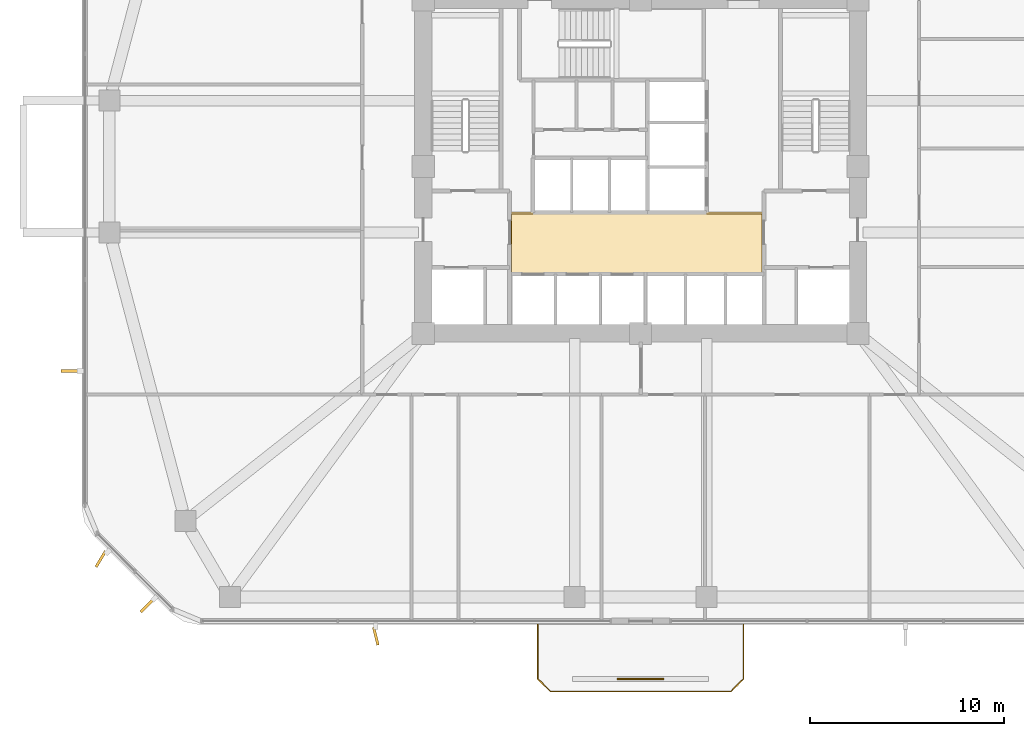
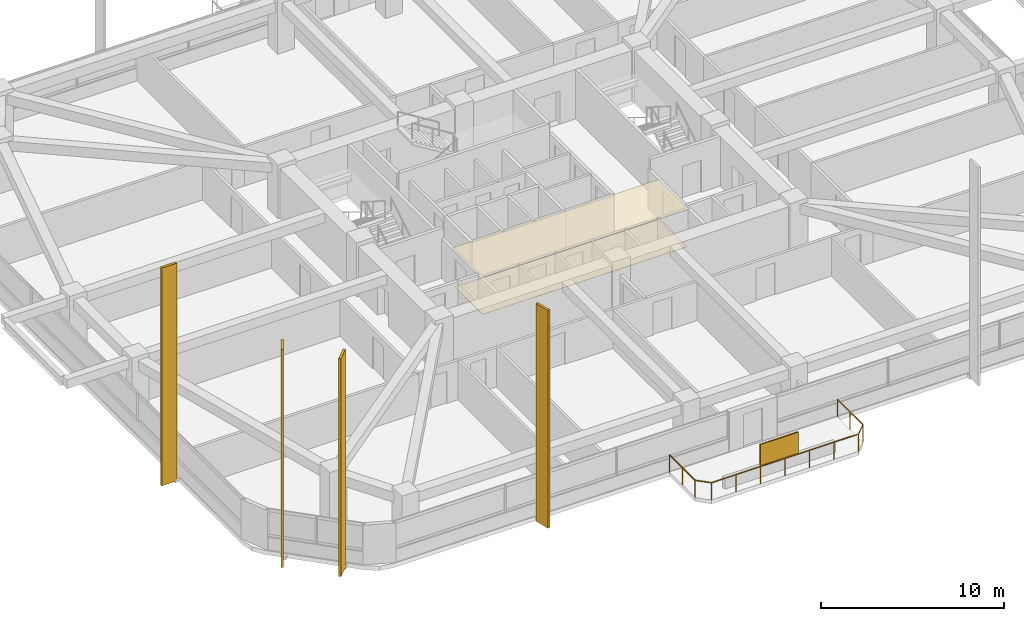
# One storey, part 13 of 17: 5 shading devices, 2 coverings, 1 railing.
"""IFC4 building model written with IfcOpenShell, lengths in metres."""

from ifc_helpers import new_model, si_unit, derived_unit, direction, frame, origin, origin_2d, place, context, subcontext, project, spatial, polyline, rectangle, outline, extrude, material, layer, layer_set, type_object, element, save


model = new_model("IFC4")

# Units and contexts
model_context = context("Model", 3, precision=1e-05, world=origin(), true_north=direction((0.0, 1.0)))
body_context = subcontext(model_context, "Body", "Model", "MODEL_VIEW")
ifc_project = project(units=[si_unit("LENGTHUNIT", "METRE"), si_unit("AREAUNIT", "SQUARE_METRE"), si_unit("VOLUMEUNIT", "CUBIC_METRE"), si_unit("PLANEANGLEUNIT", "RADIAN"), si_unit("MASSUNIT", "GRAM", prefix="KILO"), derived_unit("THERMALTRANSMITTANCEUNIT", [(si_unit("POWERUNIT", "WATT"), 1), (si_unit("LENGTHUNIT", "METRE"), -2), (si_unit("THERMODYNAMICTEMPERATUREUNIT", "KELVIN"), -1)])], contexts=[model_context])

# Site, building, storey
site_placement = place(None, origin())
site = spatial("IfcSite", under=ifc_project, at=site_placement, CompositionType="ELEMENT")
building_placement = place(site_placement, origin())
building = spatial("IfcBuilding", under=site, at=building_placement, Name="Koralith Skygarden Medical Center", CompositionType="ELEMENT")
storey_placement = place(building_placement, frame((0.0, 0.0, 23.93994140625)))
storey = spatial("IfcBuildingStorey", under=building, at=storey_placement, Name="L05", CompositionType="ELEMENT", Elevation=23.93994140625)

# Covering
ifc_material_1 = material(Name="Acoustic Mineral Tile")
ifc_layer_1 = layer(ifc_material_1, 0.02001953125)
ifc_layer_set_1 = layer_set([ifc_layer_1], Name="Acoustic Mineral Tile")
covering_type_1 = type_object("IfcCoveringType", Name="Acoustic Hygienic Mineral Ceiling 20", PredefinedType="CEILING", material=ifc_layer_set_1)
covering_1_placement = place(storey_placement, frame((0.0, 0.0, 2.5849609375)))
element("IfcCovering", 1, at=covering_1_placement, inside=storey, type_object=covering_type_1, Name="L05 Core Lobby Acoustic Ceiling", PredefinedType="CEILING", context=body_context, shape_type="SweptSolid", body=[
    extrude(outline(polyline([(30.25, 20.320068359375), (43.35009765625, 20.320068359375), (43.35009765625, 23.56005859375), (30.25, 23.56005859375), (30.25, 20.320068359375)])), origin(), (0.0, 0.0, 1.0), 0.02001953125),
])

# Shading devices
ifc_material_2 = material(Name="Aluminium 6063-T6", Category="aluminium")
shading_device_type_1 = type_object("IfcShadingDeviceType", Name="Limestone-Clad Solar Storm Fin 950", PredefinedType="USERDEFINED", material=ifc_material_2)
for number, where, z_axis, x_axis, name in (
    (2, (23.35009765625, 1.705078125, -0.2001953125), (0.0, 0.0, 1.0), (0.2419218956, -0.970295726276, 0.0), "L05 S Harmonic Solar Storm Fin 1"),
    (3, (7.60498046875, 15.3701171875, -0.2001953125), (0.0, 0.0, 1.0), (-0.999999926283, -0.000383972426, 0.0), "L05 W Harmonic Solar Storm Fin 2"),
    (4, (9.179931640625, 5.677978515625, -0.2001953125), (0.0, 0.0, 1.0), (-0.51503807491, -0.857167300702, 0.0), "L05 SW Harmonic Solar Storm Fin 1"),
    (5, (11.577880859375, 3.280029296875, -0.2001953125), (0.0, 0.0, 1.0), (-0.706835219554, -0.707378238567, 0.0), "L05 SW Harmonic Solar Storm Fin 2"),
):
    element("IfcShadingDevice", number, at=place(storey_placement, frame(where, z_axis=z_axis, x_axis=x_axis)), inside=storey, type_object=shading_device_type_1, Name=name, ObjectType="SOLAR FIN", PredefinedType="USERDEFINED", context=body_context, shape_type="SweptSolid", body=[
        extrude(rectangle(XDim=0.949951171875, YDim=0.139892578125, at=origin_2d()), origin(), (0.0, 0.0, 1.0), 14.550048828125),
    ])

# Railing
ifc_material_3 = material(Name="Steel ASTM A500 Grade C", Category="steel")
railing_type = type_object("IfcRailingType", Name="Outdoor Terrace & Balcony Safety Guardrail 1180", PredefinedType="GUARDRAIL", material=ifc_material_3)
railing_placement = place(storey_placement, frame((31.699951171875, 2.300048828125, 0.0)))
element("IfcRailing", 6, at=railing_placement, inside=storey, type_object=railing_type, Name="L05 S Balcony Perimeter Guardrail", PredefinedType="GUARDRAIL", context=body_context, shape_type="SweptSolid", body=[
    extrude(rectangle(XDim=0.050048828125, YDim=0.050048828125, at=origin_2d()), frame((0.0, -0.001953125, 1.15478515625), z_axis=(0.0, -1.0, 0.0), x_axis=(1.0, 0.0, 0.0)), (0.0, 0.0, 1.0), 2.796142578125),
    extrude(rectangle(XDim=0.050048828125, YDim=0.050048828125, at=origin_2d()), frame((0.00146484375, -2.801513671875, 1.15478515625), z_axis=(0.707239558722, -0.706973978714, 0.0), x_axis=(0.706973978714, 0.707239558722, 0.0)), (0.0, 0.0, 1.0), 0.915283203125),
    extrude(rectangle(XDim=0.050048828125, YDim=0.050048828125, at=origin_2d()), frame((0.652099609375, -3.449951171875, 1.15478515625), z_axis=(1.0, 0.0, 0.0), x_axis=(0.0, 1.0, 0.0)), (0.0, 0.0, 1.0), 9.2958984375),
    extrude(rectangle(XDim=0.050048828125, YDim=0.050048828125, at=origin_2d()), frame((9.951416015625, -3.448486328125, 1.15478515625), z_axis=(0.707239558722, 0.706973978714, 0.0), x_axis=(-0.706973978714, 0.707239558722, 0.0)), (0.0, 0.0, 1.0), 0.915283203125),
    extrude(rectangle(XDim=0.050048828125, YDim=0.050048828125, at=origin_2d()), frame((10.60009765625, -2.798095703125, 1.15478515625), z_axis=(0.0, 1.0, 0.0), x_axis=(-1.0, 0.0, 0.0)), (0.0, 0.0, 1.0), 2.796142578125),
    extrude(rectangle(XDim=0.0419921875, YDim=0.0419921875, at=origin_2d()), origin(), (0.0, 0.0, 1.0), 1.1279296875),
    extrude(rectangle(XDim=0.0419921875, YDim=0.0419921875, at=origin_2d()), frame((0.0, -1.39990234375, 0.0)), (0.0, 0.0, 1.0), 1.1279296875),
    extrude(rectangle(XDim=0.0419921875, YDim=0.0419921875, at=origin_2d()), frame((0.0, -2.800048828125, 0.0)), (0.0, 0.0, 1.0), 1.1279296875),
    extrude(rectangle(XDim=0.0419921875, YDim=0.0419921875, at=origin_2d()), frame((0.650146484375, -3.449951171875, 0.0)), (0.0, 0.0, 1.0), 1.1279296875),
    extrude(rectangle(XDim=0.0419921875, YDim=0.0419921875, at=origin_2d()), frame((2.2001953125, -3.449951171875, 0.0)), (0.0, 0.0, 1.0), 1.1279296875),
    extrude(rectangle(XDim=0.0419921875, YDim=0.0419921875, at=origin_2d()), frame((3.75, -3.449951171875, 0.0)), (0.0, 0.0, 1.0), 1.1279296875),
    extrude(rectangle(XDim=0.0419921875, YDim=0.0419921875, at=origin_2d()), frame((5.300048828125, -3.449951171875, 0.0)), (0.0, 0.0, 1.0), 1.1279296875),
    extrude(rectangle(XDim=0.0419921875, YDim=0.0419921875, at=origin_2d()), frame((6.85009765625, -3.449951171875, 0.0)), (0.0, 0.0, 1.0), 1.1279296875),
    extrude(rectangle(XDim=0.0419921875, YDim=0.0419921875, at=origin_2d()), frame((8.39990234375, -3.449951171875, 0.0)), (0.0, 0.0, 1.0), 1.1279296875),
    extrude(rectangle(XDim=0.0419921875, YDim=0.0419921875, at=origin_2d()), frame((9.949951171875, -3.449951171875, 0.0)), (0.0, 0.0, 1.0), 1.1279296875),
    extrude(rectangle(XDim=0.0419921875, YDim=0.0419921875, at=origin_2d()), frame((10.60009765625, -2.800048828125, 0.0)), (0.0, 0.0, 1.0), 1.1279296875),
    extrude(rectangle(XDim=0.0419921875, YDim=0.0419921875, at=origin_2d()), frame((10.60009765625, -1.39990234375, 0.0)), (0.0, 0.0, 1.0), 1.1279296875),
    extrude(rectangle(XDim=0.0419921875, YDim=0.0419921875, at=origin_2d()), frame((10.60009765625, 0.0, 0.0)), (0.0, 0.0, 1.0), 1.1279296875),
])

# Shading device
ifc_layer_2 = layer(ifc_material_2, 0.080078125)
ifc_layer_set_2 = layer_set([ifc_layer_2], Name="Aluminium 6063-T6")
shading_device_type_2 = type_object("IfcShadingDeviceType", Name="Perforated Biophilic Balcony Trellis Screen", PredefinedType="USERDEFINED", material=ifc_layer_set_2)
shading_device_placement = place(storey_placement, frame((37.0, -0.5, 0.72021484375), z_axis=(0.0, 0.0, 1.0), x_axis=(1.0, 0.0, 0.0)))
element("IfcShadingDevice", 7, at=shading_device_placement, inside=storey, type_object=shading_device_type_2, Name="L05 S Biophilic Balcony Trellis Screen", ObjectType="HURRICANE SCREEN", PredefinedType="USERDEFINED", context=body_context, shape_type="SweptSolid", body=[
    extrude(rectangle(XDim=2.39990234375, YDim=0.080078125, at=origin_2d()), origin(), (0.0, 0.0, 1.0), 1.39990234375),
])

# Covering
ifc_material_4 = material(Name="Medical Terrazzo Flooring")
ifc_layer_3 = layer(ifc_material_4, 0.014892578125)
ifc_layer_set_3 = layer_set([ifc_layer_3], Name="Medical Terrazzo Flooring")
covering_type_2 = type_object("IfcCoveringType", Name="Seamless Antimicrobial Terrazzo Flooring 15", PredefinedType="FLOORING", material=ifc_layer_set_3)
covering_2_placement = place(storey_placement, origin())
element("IfcCovering", 8, at=covering_2_placement, inside=storey, type_object=covering_type_2, Name="L05 Core Lobby Terrazzo Flooring", PredefinedType="FLOORING", context=body_context, shape_type="SweptSolid", body=[
    extrude(outline(polyline([(30.35009765625, 20.419921875), (43.25, 20.419921875), (43.25, 23.4599609375), (30.35009765625, 23.4599609375), (30.35009765625, 20.419921875)])), origin(), (0.0, 0.0, 1.0), 0.01513671875),
])

save(model, "model.ifc")
